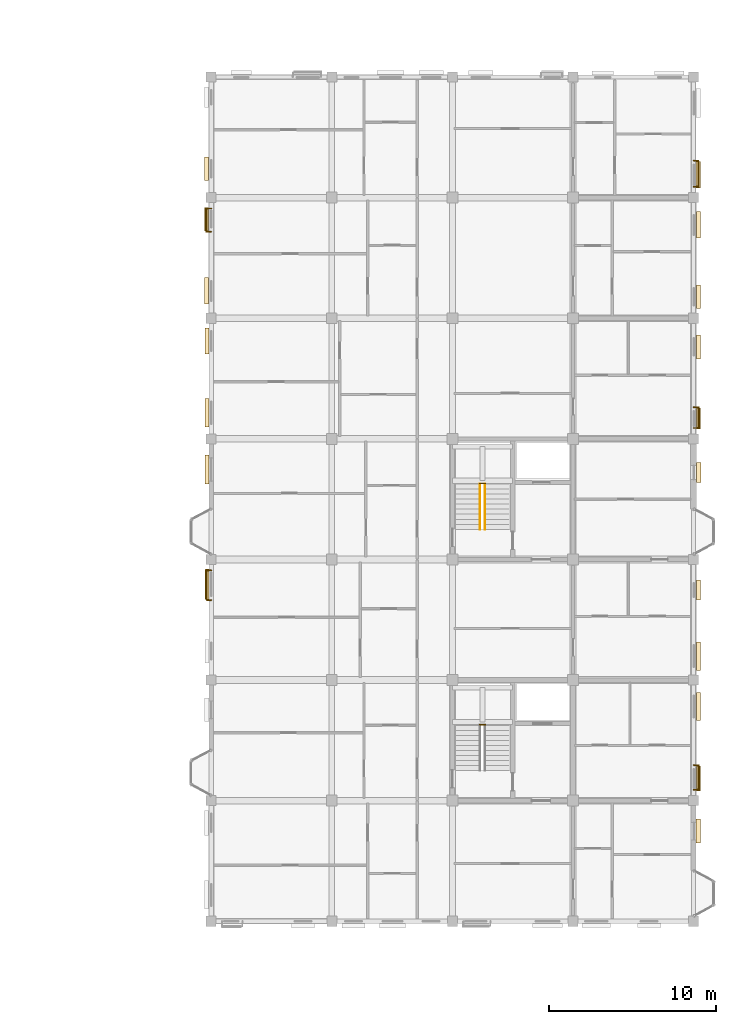
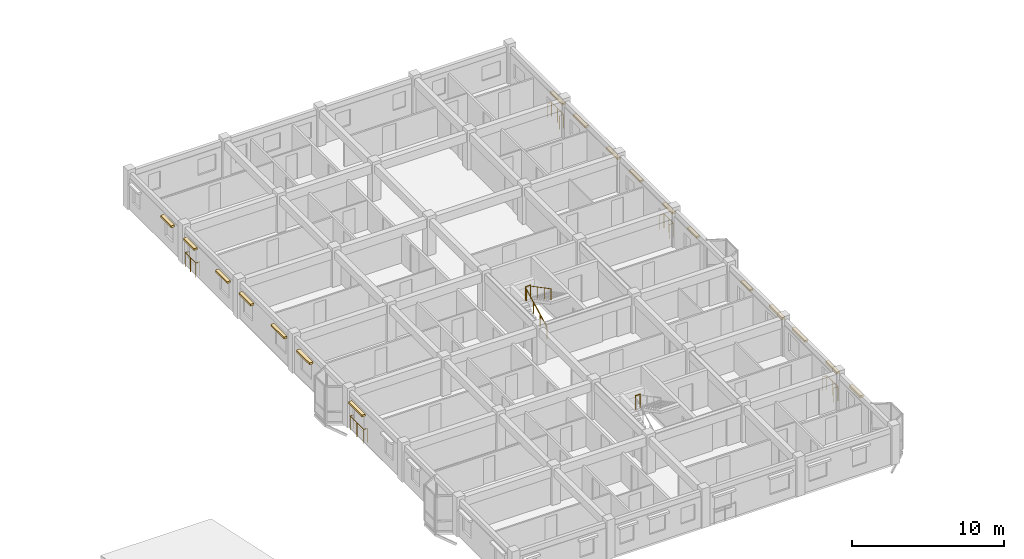
# One storey, part 120 of 124: 18 coverings, 9 railings.
"""IFC4 building model written with IfcOpenShell, lengths in metres."""

from ifc_helpers import new_model, si_unit, direction, frame, origin, origin_2d, place, context, subcontext, project, spatial, rectangle, circle, extrude, material, layer, layer_set, type_object, element, save


model = new_model("IFC4")

# Units and contexts
model_context = context("Model", 3, precision=1e-05, world=origin(), true_north=direction((0.0, 1.0)))
body_context = subcontext(model_context, "Body", "Model", "MODEL_VIEW")
ifc_project = project(units=[si_unit("LENGTHUNIT", "METRE"), si_unit("AREAUNIT", "SQUARE_METRE"), si_unit("VOLUMEUNIT", "CUBIC_METRE"), si_unit("PLANEANGLEUNIT", "RADIAN"), si_unit("MASSUNIT", "GRAM", prefix="KILO"), si_unit("THERMODYNAMICTEMPERATUREUNIT", "KELVIN"), si_unit("POWERUNIT", "WATT")], contexts=[model_context])

# Site, building, storey
site_placement = place(None, origin())
site = spatial("IfcSite", under=ifc_project, at=site_placement, CompositionType="ELEMENT")
building_placement = place(site_placement, origin())
building = spatial("IfcBuilding", under=site, at=building_placement, Name="Tavuni Mirador Residences", CompositionType="ELEMENT")
storey_placement = place(building_placement, frame((0.0, 0.0, 7.64990234375)))
storey = spatial("IfcBuildingStorey", under=building, at=storey_placement, Name="L02", CompositionType="ELEMENT", Elevation=7.64990234375)

# Coverings
ifc_material_1 = material(Name="Natural coral limestone", Category="masonry")
ifc_layer = layer(ifc_material_1, 0.054931640625, Name="Natural coral limestone", Category="masonry")
ifc_layer_set = layer_set([ifc_layer], Name="Natural coral limestone")
covering_type = type_object("IfcCoveringType", Name="CVT-CLAD-CORAL", PredefinedType="CLADDING", material=ifc_layer_set)
covering_1_placement = place(storey_placement, frame((119.07958984375, 91.784912109375, 2.240234375), z_axis=(0.0, 0.0, 1.0), x_axis=(0.0, 1.0, 0.0)))
element("IfcCovering", 1, at=covering_1_placement, inside=storey, type_object=covering_type, Name="HOOD-0914", PredefinedType="CLADDING", context=body_context, shape_type="SweptSolid", body=[
    extrude(rectangle(XDim=1.409912109375, YDim=0.260009765625, at=origin_2d()), origin(), (0.0, 0.0, 1.0), 0.159912109375),
])
covering_2_placement = place(storey_placement, frame((119.094482421875, 94.925048828125, 2.2451171875), z_axis=(0.0, 0.0, 1.0), x_axis=(0.0, 1.0, 0.0)))
element("IfcCovering", 2, at=covering_2_placement, inside=storey, type_object=covering_type, Name="HOOD-0915", PredefinedType="CLADDING", context=body_context, shape_type="SweptSolid", body=[
    extrude(rectangle(XDim=1.489990234375, YDim=0.25, at=origin_2d()), origin(), (0.0, 0.0, 1.0), 0.14990234375),
])
for number, where, z_axis, x_axis, name in (
    (3, (119.094482421875, 99.22509765625, 2.2451171875), (0.0, 0.0, 1.0), (0.0, 1.0, 0.0), "HOOD-0916"),
    (4, (119.094482421875, 102.22509765625, 2.2451171875), (0.0, 0.0, 1.0), (0.0, 1.0, 0.0), "HOOD-0917"),
):
    element("IfcCovering", number, at=place(storey_placement, frame(where, z_axis=z_axis, x_axis=x_axis)), inside=storey, type_object=covering_type, Name=name, PredefinedType="CLADDING", context=body_context, shape_type="SweptSolid", body=[
        extrude(rectangle(XDim=1.68994140625, YDim=0.25, at=origin_2d()), origin(), (0.0, 0.0, 1.0), 0.14990234375),
    ])
covering_3_placement = place(storey_placement, frame((119.094482421875, 106.175048828125, 1.955078125), z_axis=(0.0, 0.0, 1.0), x_axis=(0.0, 1.0, 0.0)))
element("IfcCovering", 5, at=covering_3_placement, inside=storey, type_object=covering_type, Name="HOOD-0918", PredefinedType="CLADDING", context=body_context, shape_type="SweptSolid", body=[
    extrude(rectangle(XDim=1.18994140625, YDim=0.25, at=origin_2d()), origin(), (0.0, 0.0, 1.0), 0.14990234375),
])
covering_4_placement = place(storey_placement, frame((119.099609375, 113.195068359375, 1.9501953125), z_axis=(0.0, 0.0, 1.0), x_axis=(0.0, 1.0, 0.0)))
element("IfcCovering", 6, at=covering_4_placement, inside=storey, type_object=covering_type, Name="HOOD-0919", PredefinedType="CLADDING", context=body_context, shape_type="SweptSolid", body=[
    extrude(rectangle(XDim=1.2099609375, YDim=0.260009765625, at=origin_2d()), origin(), (0.0, 0.0, 1.0), 0.159912109375),
])
covering_5_placement = place(storey_placement, frame((119.094482421875, 116.409912109375, 1.955078125), z_axis=(0.0, 0.0, 1.0), x_axis=(0.0, 1.0, 0.0)))
element("IfcCovering", 7, at=covering_5_placement, inside=storey, type_object=covering_type, Name="HOOD-0920", PredefinedType="CLADDING", context=body_context, shape_type="SweptSolid", body=[
    extrude(rectangle(XDim=1.260009765625, YDim=0.25, at=origin_2d()), origin(), (0.0, 0.0, 1.0), 0.14990234375),
])
for number, where, z_axis, x_axis, name in (
    (8, (119.094482421875, 120.68994140625, 1.955078125), (0.0, 0.0, 1.0), (0.0, 1.0, 0.0), "HOOD-0921"),
    (9, (119.0869140625, 123.68994140625, 1.955078125), (0.0, 0.0, 1.0), (0.0, 1.0, 0.0), "HOOD-0922"),
):
    element("IfcCovering", number, at=place(storey_placement, frame(where, z_axis=z_axis, x_axis=x_axis)), inside=storey, type_object=covering_type, Name=name, PredefinedType="CLADDING", context=body_context, shape_type="SweptSolid", body=[
        extrude(rectangle(XDim=1.419921875, YDim=0.25, at=origin_2d()), origin(), (0.0, 0.0, 1.0), 0.14990234375),
    ])
for number, where, z_axis, x_axis, name in (
    (10, (119.0869140625, 127.969970703125, 1.955078125), (0.0, 0.0, 1.0), (0.0, 1.0, 0.0), "HOOD-0923"),
    (11, (119.07958984375, 130.969970703125, 1.955078125), (0.0, 0.0, 1.0), (0.0, 1.0, 0.0), "HOOD-0924"),
):
    element("IfcCovering", number, at=place(storey_placement, frame(where, z_axis=z_axis, x_axis=x_axis)), inside=storey, type_object=covering_type, Name=name, PredefinedType="CLADDING", context=body_context, shape_type="SweptSolid", body=[
        extrude(rectangle(XDim=1.580078125, YDim=0.25, at=origin_2d()), origin(), (0.0, 0.0, 1.0), 0.14990234375),
    ])
for number, where, z_axis, x_axis, name in (
    (12, (89.720458984375, 131.320068359375, 2.1650390625), (0.0, 0.0, 1.0), (0.0, -1.0, 0.0), "HOOD-0935"),
    (13, (89.712890625, 128.320068359375, 2.1650390625), (0.0, 0.0, 1.0), (0.0, -1.0, 0.0), "HOOD-0936"),
):
    element("IfcCovering", number, at=place(storey_placement, frame(where, z_axis=z_axis, x_axis=x_axis)), inside=storey, type_object=covering_type, Name=name, PredefinedType="CLADDING", context=body_context, shape_type="SweptSolid", body=[
        extrude(rectangle(XDim=1.39990234375, YDim=0.25, at=origin_2d()), origin(), (0.0, 0.0, 1.0), 0.14990234375),
    ])
for number, where, z_axis, x_axis, name in (
    (14, (89.712890625, 124.0400390625, 2.1650390625), (0.0, 0.0, 1.0), (0.0, -1.0, 0.0), "HOOD-0937"),
    (15, (89.755615234375, 121.0400390625, 2.1650390625), (0.0, 0.0, 1.0), (0.0, -1.0, 0.0), "HOOD-0938"),
):
    element("IfcCovering", number, at=place(storey_placement, frame(where, z_axis=z_axis, x_axis=x_axis)), inside=storey, type_object=covering_type, Name=name, PredefinedType="CLADDING", context=body_context, shape_type="SweptSolid", body=[
        extrude(rectangle(XDim=1.56005859375, YDim=0.25, at=origin_2d()), origin(), (0.0, 0.0, 1.0), 0.14990234375),
    ])
covering_6_placement = place(storey_placement, frame((89.755615234375, 116.760009765625, 2.1650390625), z_axis=(0.0, 0.0, 1.0), x_axis=(0.0, -1.0, 0.0)))
element("IfcCovering", 16, at=covering_6_placement, inside=storey, type_object=covering_type, Name="HOOD-0939", PredefinedType="CLADDING", context=body_context, shape_type="SweptSolid", body=[
    extrude(rectangle(XDim=1.719970703125, YDim=0.25, at=origin_2d()), origin(), (0.0, 0.0, 1.0), 0.14990234375),
])
covering_7_placement = place(storey_placement, frame((89.74560546875, 113.3701171875, 2.16015625), z_axis=(0.0, 0.0, 1.0), x_axis=(0.0, -1.0, 0.0)))
element("IfcCovering", 17, at=covering_7_placement, inside=storey, type_object=covering_type, Name="HOOD-0940", PredefinedType="CLADDING", context=body_context, shape_type="SweptSolid", body=[
    extrude(rectangle(XDim=1.739990234375, YDim=0.260009765625, at=origin_2d()), origin(), (0.0, 0.0, 1.0), 0.159912109375),
])
covering_8_placement = place(storey_placement, frame((89.740478515625, 106.52001953125, 2.1650390625), z_axis=(0.0, 0.0, 1.0), x_axis=(0.0, -1.0, 0.0)))
element("IfcCovering", 18, at=covering_8_placement, inside=storey, type_object=covering_type, Name="HOOD-0941", PredefinedType="CLADDING", context=body_context, shape_type="SweptSolid", body=[
    extrude(rectangle(XDim=1.800048828125, YDim=0.25, at=origin_2d()), origin(), (0.0, 0.0, 1.0), 0.14990234375),
])

# Railings
ifc_material_2 = material(Name="Structural steel S355", Category="steel")
railing_type_1 = type_object("IfcRailingType", Name="RT-BL1150", PredefinedType="BALUSTRADE", material=ifc_material_2)
railing_1_placement = place(storey_placement, frame((118.800048828125, 94.25, 0.0400390625)))
element("IfcRailing", 19, at=railing_1_placement, inside=storey, type_object=railing_type_1, Name="BALC-BLK-D-L02-E01", PredefinedType="BALUSTRADE", context=body_context, shape_type="SweptSolid", body=[
    extrude(circle(Radius=0.02392578125, at=origin_2d()), frame((0.0, 0.0, 1.1259765625), z_axis=(1.0, 0.0, 0.0), x_axis=(0.0, 1.0, 0.0)), (0.0, 0.0, 1.0), 0.3125),
    extrude(circle(Radius=0.02392578125, at=origin_2d()), frame((0.3125, 0.0, 1.1259765625), z_axis=(0.0, 1.0, 0.0), x_axis=(-1.0, 0.0, 0.0)), (0.0, 0.0, 1.0), 1.469970703125),
    extrude(circle(Radius=0.02392578125, at=origin_2d()), frame((0.3125, 1.469970703125, 1.1259765625), z_axis=(-1.0, 0.0, 0.0), x_axis=(0.0, -1.0, 0.0)), (0.0, 0.0, 1.0), 0.3125),
    extrude(circle(Radius=0.02099609375, at=origin_2d()), origin(), (0.0, 0.0, 1.0), 1.101806640625),
    extrude(circle(Radius=0.02099609375, at=origin_2d()), frame((0.3125, 0.0, 0.0)), (0.0, 0.0, 1.0), 1.101806640625),
    extrude(circle(Radius=0.02099609375, at=origin_2d()), frame((0.3125, 0.73486328125, 0.0)), (0.0, 0.0, 1.0), 1.101806640625),
    extrude(circle(Radius=0.02099609375, at=origin_2d()), frame((0.3125, 1.469970703125, 0.0)), (0.0, 0.0, 1.0), 1.101806640625),
    extrude(circle(Radius=0.02099609375, at=origin_2d()), frame((0.0, 1.469970703125, 0.0)), (0.0, 0.0, 1.0), 1.101806640625),
])
railing_2_placement = place(storey_placement, frame((118.800048828125, 115.85009765625, 0.0400390625)))
element("IfcRailing", 20, at=railing_2_placement, inside=storey, type_object=railing_type_1, Name="BALC-BLK-D-L02-E04", PredefinedType="BALUSTRADE", context=body_context, shape_type="SweptSolid", body=[
    extrude(circle(Radius=0.02392578125, at=origin_2d()), frame((0.0, 0.0, 1.1259765625), z_axis=(1.0, 0.0, 0.0), x_axis=(0.0, 1.0, 0.0)), (0.0, 0.0, 1.0), 0.3125),
    extrude(circle(Radius=0.02392578125, at=origin_2d()), frame((0.3125, 0.0, 1.1259765625), z_axis=(0.0, 1.0, 0.0), x_axis=(-1.0, 0.0, 0.0)), (0.0, 0.0, 1.0), 1.239990234375),
    extrude(circle(Radius=0.02392578125, at=origin_2d()), frame((0.3125, 1.239990234375, 1.1259765625), z_axis=(-1.0, 0.0, 0.0), x_axis=(0.0, -1.0, 0.0)), (0.0, 0.0, 1.0), 0.3125),
    extrude(circle(Radius=0.02099609375, at=origin_2d()), origin(), (0.0, 0.0, 1.0), 1.101806640625),
    extrude(circle(Radius=0.02099609375, at=origin_2d()), frame((0.3125, 0.0, 0.0)), (0.0, 0.0, 1.0), 1.101806640625),
    extrude(circle(Radius=0.02099609375, at=origin_2d()), frame((0.3125, 0.6201171875, 0.0)), (0.0, 0.0, 1.0), 1.101806640625),
    extrude(circle(Radius=0.02099609375, at=origin_2d()), frame((0.3125, 1.239990234375, 0.0)), (0.0, 0.0, 1.0), 1.101806640625),
    extrude(circle(Radius=0.02099609375, at=origin_2d()), frame((0.0, 1.239990234375, 0.0)), (0.0, 0.0, 1.0), 1.101806640625),
])
railing_3_placement = place(storey_placement, frame((118.800048828125, 130.25, 0.0400390625)))
element("IfcRailing", 21, at=railing_3_placement, inside=storey, type_object=railing_type_1, Name="BALC-BLK-D-L02-E06", PredefinedType="BALUSTRADE", context=body_context, shape_type="SweptSolid", body=[
    extrude(circle(Radius=0.02392578125, at=origin_2d()), frame((0.0, 0.0, 1.1259765625), z_axis=(1.0, 0.0, 0.0), x_axis=(0.0, 1.0, 0.0)), (0.0, 0.0, 1.0), 0.29736328125),
    extrude(circle(Radius=0.02392578125, at=origin_2d()), frame((0.29736328125, 0.0, 1.1259765625), z_axis=(0.0, 1.0, 0.0), x_axis=(-1.0, 0.0, 0.0)), (0.0, 0.0, 1.0), 1.56005859375),
    extrude(circle(Radius=0.02392578125, at=origin_2d()), frame((0.29736328125, 1.56005859375, 1.1259765625), z_axis=(-1.0, 0.0, 0.0), x_axis=(0.0, -1.0, 0.0)), (0.0, 0.0, 1.0), 0.29736328125),
    extrude(circle(Radius=0.02099609375, at=origin_2d()), origin(), (0.0, 0.0, 1.0), 1.101806640625),
    extrude(circle(Radius=0.02099609375, at=origin_2d()), frame((0.29736328125, 0.0, 0.0)), (0.0, 0.0, 1.0), 1.101806640625),
    extrude(circle(Radius=0.02099609375, at=origin_2d()), frame((0.29736328125, 0.780029296875, 0.0)), (0.0, 0.0, 1.0), 1.101806640625),
    extrude(circle(Radius=0.02099609375, at=origin_2d()), frame((0.29736328125, 1.56005859375, 0.0)), (0.0, 0.0, 1.0), 1.101806640625),
    extrude(circle(Radius=0.02099609375, at=origin_2d()), frame((0.0, 1.56005859375, 0.0)), (0.0, 0.0, 1.0), 1.101806640625),
])
railing_4_placement = place(storey_placement, frame((90.0, 128.949951171875, 0.0400390625)))
element("IfcRailing", 22, at=railing_4_placement, inside=storey, type_object=railing_type_1, Name="BALC-BLK-D-L02-W05", PredefinedType="BALUSTRADE", context=body_context, shape_type="SweptSolid", body=[
    extrude(circle(Radius=0.02392578125, at=origin_2d()), frame((0.0, 0.0, 1.1259765625), z_axis=(-1.0, 0.0, 0.0), x_axis=(0.0, -1.0, 0.0)), (0.0, 0.0, 1.0), 0.304931640625),
    extrude(circle(Radius=0.02392578125, at=origin_2d()), frame((-0.304931640625, 0.0, 1.1259765625), z_axis=(0.0, -1.0, 0.0), x_axis=(1.0, 0.0, 0.0)), (0.0, 0.0, 1.0), 1.3798828125),
    extrude(circle(Radius=0.02392578125, at=origin_2d()), frame((-0.304931640625, -1.3798828125, 1.1259765625), z_axis=(1.0, 0.0, 0.0), x_axis=(0.0, 1.0, 0.0)), (0.0, 0.0, 1.0), 0.304931640625),
    extrude(circle(Radius=0.02099609375, at=origin_2d()), origin(), (0.0, 0.0, 1.0), 1.101806640625),
    extrude(circle(Radius=0.02099609375, at=origin_2d()), frame((-0.304931640625, 0.0, 0.0)), (0.0, 0.0, 1.0), 1.101806640625),
    extrude(circle(Radius=0.02099609375, at=origin_2d()), frame((-0.304931640625, -0.68994140625, 0.0)), (0.0, 0.0, 1.0), 1.101806640625),
    extrude(circle(Radius=0.02099609375, at=origin_2d()), frame((-0.304931640625, -1.3798828125, 0.0)), (0.0, 0.0, 1.0), 1.101806640625),
    extrude(circle(Radius=0.02099609375, at=origin_2d()), frame((0.0, -1.3798828125, 0.0)), (0.0, 0.0, 1.0), 1.101806640625),
])
railing_5_placement = place(storey_placement, frame((90.0, 107.35009765625, 0.0400390625)))
element("IfcRailing", 23, at=railing_5_placement, inside=storey, type_object=railing_type_1, Name="BALC-BLK-D-L02-W02", PredefinedType="BALUSTRADE", context=body_context, shape_type="SweptSolid", body=[
    extrude(circle(Radius=0.02392578125, at=origin_2d()), frame((0.0, 0.0, 1.1259765625), z_axis=(-1.0, 0.0, 0.0), x_axis=(0.0, -1.0, 0.0)), (0.0, 0.0, 1.0), 0.277587890625),
    extrude(circle(Radius=0.02392578125, at=origin_2d()), frame((-0.277587890625, 0.0, 1.1259765625), z_axis=(0.0, -1.0, 0.0), x_axis=(1.0, 0.0, 0.0)), (0.0, 0.0, 1.0), 1.780029296875),
    extrude(circle(Radius=0.02392578125, at=origin_2d()), frame((-0.277587890625, -1.780029296875, 1.1259765625), z_axis=(1.0, 0.0, 0.0), x_axis=(0.0, 1.0, 0.0)), (0.0, 0.0, 1.0), 0.277587890625),
    extrude(circle(Radius=0.02099609375, at=origin_2d()), origin(), (0.0, 0.0, 1.0), 1.101806640625),
    extrude(circle(Radius=0.02099609375, at=origin_2d()), frame((-0.277587890625, 0.0, 0.0)), (0.0, 0.0, 1.0), 1.101806640625),
    extrude(circle(Radius=0.02099609375, at=origin_2d()), frame((-0.277587890625, -0.89013671875, 0.0)), (0.0, 0.0, 1.0), 1.101806640625),
    extrude(circle(Radius=0.02099609375, at=origin_2d()), frame((-0.277587890625, -1.780029296875, 0.0)), (0.0, 0.0, 1.0), 1.101806640625),
    extrude(circle(Radius=0.02099609375, at=origin_2d()), frame((0.0, -1.780029296875, 0.0)), (0.0, 0.0, 1.0), 1.101806640625),
])
railing_type_2 = type_object("IfcRailingType", Name="RT-GR1120", PredefinedType="GUARDRAIL", material=ifc_material_2)
for number, where, name in (
    (24, (106.02001953125, 98.139892578125, 1.5751953125), "GRD-HL-ST7-L02"),
    (25, (106.02001953125, 112.5400390625, 1.5751953125), "GRD-HL-ST8-L02"),
):
    element("IfcRailing", number, at=place(storey_placement, frame(where)), inside=storey, type_object=railing_type_2, Name=name, PredefinedType="GUARDRAIL", context=body_context, shape_type="SweptSolid", body=[
        extrude(circle(Radius=0.02392578125, at=origin_2d()), frame((0.0, 0.0, 1.09619140625), z_axis=(1.0, 0.0, 0.0), x_axis=(0.0, 1.0, 0.0)), (0.0, 0.0, 1.0), 0.35986328125),
        extrude(circle(Radius=0.02099609375, at=origin_2d()), origin(), (0.0, 0.0, 1.0), 1.072021484375),
        extrude(circle(Radius=0.02099609375, at=origin_2d()), frame((0.35986328125, 0.0, 0.0)), (0.0, 0.0, 1.0), 1.072021484375),
    ])
railing_type_3 = type_object("IfcRailingType", Name="RT-HR920", PredefinedType="HANDRAIL", material=ifc_material_2)
railing_6_placement = place(storey_placement, frame((106.050048828125, 109.800048828125, 0.15771484375)))
element("IfcRailing", 26, at=railing_6_placement, inside=storey, type_object=railing_type_3, Name="HR-ST8-L02-F1", PredefinedType="HANDRAIL", context=body_context, shape_type="SweptSolid", body=[
    extrude(circle(Radius=0.02392578125, at=origin_2d()), frame((0.0, 0.0, 0.89599609375), z_axis=(0.0, 0.885397079081, 0.464835468048), x_axis=(-1.0, 0.0, 0.0)), (0.0, 0.0, 1.0), 3.04931640625),
    extrude(circle(Radius=0.02099609375, at=origin_2d()), origin(), (0.0, 0.0, 1.0), 0.871826171875),
    extrude(circle(Radius=0.02099609375, at=origin_2d()), frame((0.0, 0.89990234375, 0.472412109375)), (0.0, 0.0, 1.0), 0.871826171875),
    extrude(circle(Radius=0.02099609375, at=origin_2d()), frame((0.0, 1.800048828125, 0.945068359375)), (0.0, 0.0, 1.0), 0.871826171875),
    extrude(circle(Radius=0.02099609375, at=origin_2d()), frame((0.0, 2.699951171875, 1.41748046875)), (0.0, 0.0, 1.0), 0.871826171875),
])
railing_7_placement = place(storey_placement, frame((106.35009765625, 112.5, 1.732666015625)))
element("IfcRailing", 27, at=railing_7_placement, inside=storey, type_object=railing_type_3, Name="HR-ST8-L02-F2", PredefinedType="HANDRAIL", context=body_context, shape_type="SweptSolid", body=[
    extrude(circle(Radius=0.02392578125, at=origin_2d()), frame((0.0, 0.0, 0.89599609375), z_axis=(0.0, -0.885397079081, 0.464835468048), x_axis=(1.0, 0.0, 0.0)), (0.0, 0.0, 1.0), 3.04931640625),
    extrude(circle(Radius=0.02099609375, at=origin_2d()), origin(), (0.0, 0.0, 1.0), 0.871826171875),
    extrude(circle(Radius=0.02099609375, at=origin_2d()), frame((0.0, -0.89990234375, 0.472412109375)), (0.0, 0.0, 1.0), 0.871826171875),
    extrude(circle(Radius=0.02099609375, at=origin_2d()), frame((0.0, -1.800048828125, 0.945068359375)), (0.0, 0.0, 1.0), 0.871826171875),
    extrude(circle(Radius=0.02099609375, at=origin_2d()), frame((0.0, -2.699951171875, 1.41748046875)), (0.0, 0.0, 1.0), 0.871826171875),
])

save(model, "model.ifc")
